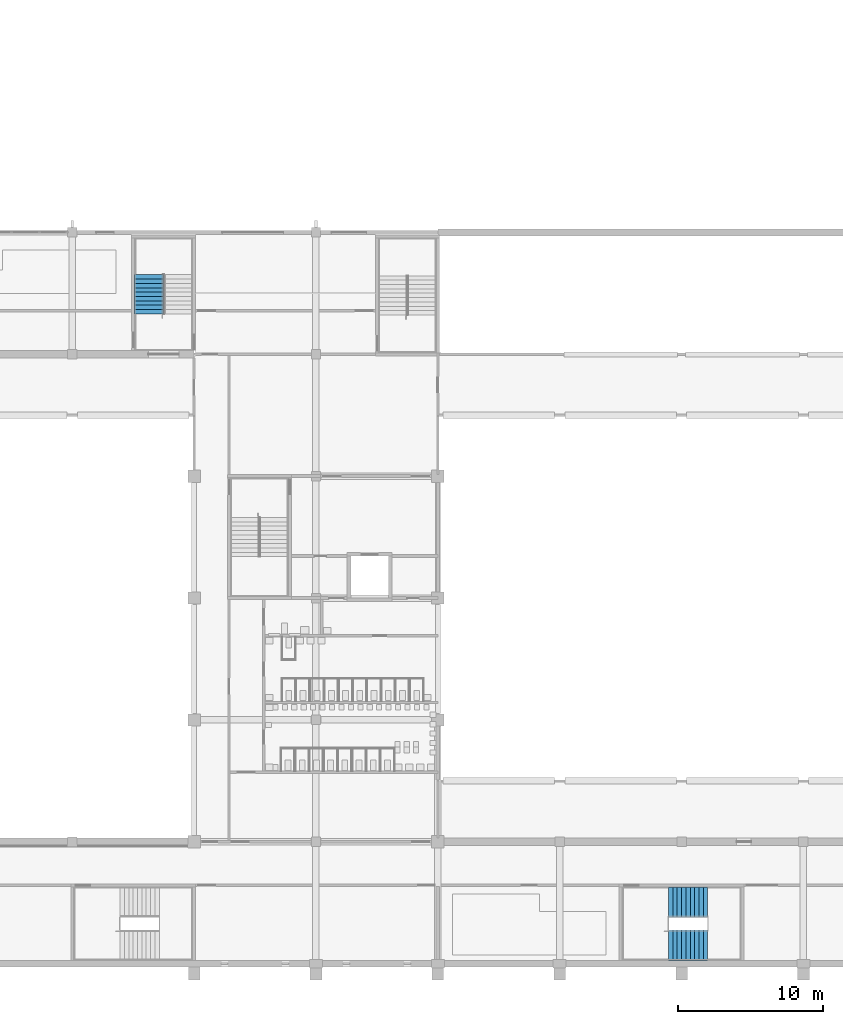
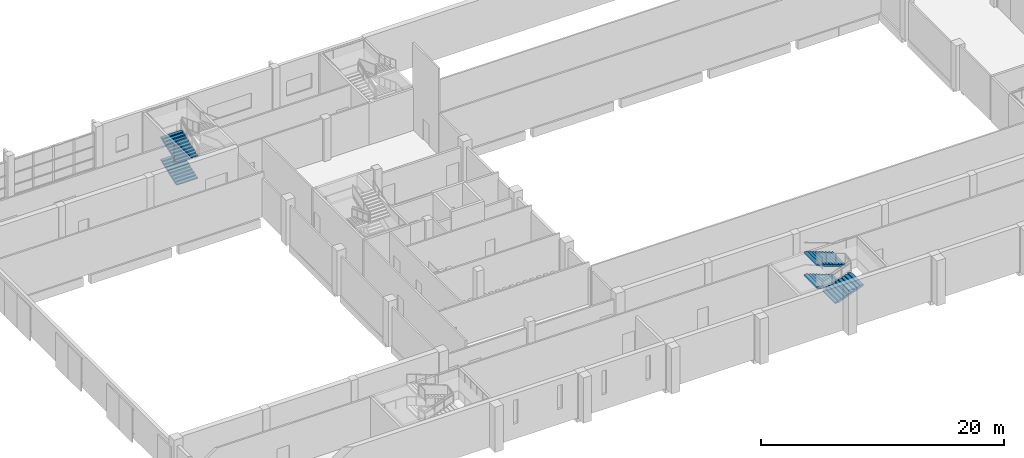
# One storey, part 42 of 64: 5 stair flights, 2 elements without a shape of their own.
"""IFC4 building model written with IfcOpenShell, lengths in metres."""

from ifc_helpers import new_model, si_unit, direction, frame, origin, place, context, subcontext, project, spatial, faceted_brep, material, type_object, element, aggregate, save


model = new_model("IFC4")

# Units and contexts
model_context = context("Model", 3, precision=1e-05, world=origin(), true_north=direction((0.0, 1.0)))
body_context = subcontext(model_context, "Body", "Model", "MODEL_VIEW")
ifc_project = project(units=[si_unit("LENGTHUNIT", "METRE"), si_unit("AREAUNIT", "SQUARE_METRE"), si_unit("VOLUMEUNIT", "CUBIC_METRE"), si_unit("PLANEANGLEUNIT", "RADIAN"), si_unit("MASSUNIT", "GRAM", prefix="KILO")], contexts=[model_context])

# Site, building, storey
site_placement = place(None, origin())
site = spatial("IfcSite", under=ifc_project, at=site_placement, CompositionType="ELEMENT")
building_placement = place(site_placement, origin())
building = spatial("IfcBuilding", under=site, at=building_placement, Name="Rulbaag Community and Learning Centre", CompositionType="ELEMENT")
storey_placement = place(building_placement, frame((0.0, 0.0, 5.39990234375)))
storey = spatial("IfcBuildingStorey", under=building, at=storey_placement, Name="L01", CompositionType="ELEMENT", Elevation=5.39990234375)

# Stair, stair flights
ifc_material = material(Name="Concrete M40", Category="concrete")
stair_type_1 = type_object("IfcStairType", Name="ST-2000 STAIR 2000 WIDE", PredefinedType="HALF_TURN_STAIR", material=ifc_material)
stair_1_placement = place(storey_placement, origin())
stair_1 = element("IfcStair", 1, at=stair_1_placement, inside=storey, type_object=stair_type_1, Name="Stair ST-H0 L01", PredefinedType="HALF_TURN_STAIR")
stair_flight_type_1 = type_object("IfcStairFlightType", Name="FL-2000 FLIGHT 2000 WIDE Concrete M40", PredefinedType="STRAIGHT", material=ifc_material)
stair_flight_1_placement = place(storey_placement, frame((22.10009765625, 44.78759765625, 0.0), z_axis=(0.0, 0.0, 1.0), x_axis=(0.0, 1.0, 0.0)))
stair_flight_1 = element("IfcStairFlight", 2, at=stair_flight_1_placement, type_object=stair_flight_type_1, Name="ST-H0 flight 1", NumberOfRisers=10, NumberOfTreads=9, PredefinedType="STRAIGHT", RiserHeight=0.1125, TreadLength=0.3, context=body_context, shape_type="Brep", body=[
    faceted_brep([(0.3984375, -1.0, 0.0), (2.699951171875, -1.0, 0.863037109375), (2.699951171875, -1.0, 1.012451171875), (2.39990234375, -1.0, 1.012451171875), (2.39990234375, -1.0, 0.89990234375), (2.10009765625, -1.0, 0.89990234375), (2.10009765625, -1.0, 0.78759765625), (1.800048828125, -1.0, 0.78759765625), (1.800048828125, -1.0, 0.675048828125), (1.5, -1.0, 0.675048828125), (1.5, -1.0, 0.5625), (1.199951171875, -1.0, 0.5625), (1.199951171875, -1.0, 0.449951171875), (0.89990234375, -1.0, 0.449951171875), (0.89990234375, -1.0, 0.33740234375), (0.60009765625, -1.0, 0.33740234375), (0.60009765625, -1.0, 0.22509765625), (0.300048828125, -1.0, 0.22509765625), (0.300048828125, -1.0, 0.112548828125), (0.0, -1.0, 0.112548828125), (0.0, -1.0, 0.0), (0.0, 1.0, 0.0), (0.0, 1.0, 0.112548828125), (0.300048828125, 1.0, 0.112548828125), (0.300048828125, 1.0, 0.22509765625), (0.60009765625, 1.0, 0.22509765625), (0.60009765625, 1.0, 0.33740234375), (0.89990234375, 1.0, 0.33740234375), (0.89990234375, 1.0, 0.449951171875), (1.199951171875, 1.0, 0.449951171875), (1.199951171875, 1.0, 0.5625), (1.5, 1.0, 0.5625), (1.5, 1.0, 0.675048828125), (1.800048828125, 1.0, 0.675048828125), (1.800048828125, 1.0, 0.78759765625), (2.10009765625, 1.0, 0.78759765625), (2.10009765625, 1.0, 0.89990234375), (2.39990234375, 1.0, 0.89990234375), (2.39990234375, 1.0, 1.012451171875), (2.699951171875, 1.0, 1.012451171875), (2.699951171875, 1.0, 0.863037109375), (0.3984375, 1.0, 0.0), (0.0, -0.333251953125, 0.112548828125), (0.0, -0.333251953125, 0.0), (0.0, 0.333251953125, 0.112548828125), (0.0, 0.333251953125, 0.0), (0.300048828125, -0.333251953125, 0.112548828125), (0.300048828125, 0.333251953125, 0.112548828125), (0.300048828125, -0.333251953125, 0.22509765625), (0.300048828125, 0.333251953125, 0.22509765625), (0.60009765625, -0.333251953125, 0.22509765625), (0.60009765625, 0.333251953125, 0.22509765625), (0.60009765625, -0.333251953125, 0.33740234375), (0.60009765625, 0.333251953125, 0.33740234375), (0.89990234375, -0.333251953125, 0.33740234375), (0.89990234375, 0.333251953125, 0.33740234375), (0.89990234375, -0.333251953125, 0.449951171875), (0.89990234375, 0.333251953125, 0.449951171875), (1.199951171875, -0.333251953125, 0.449951171875), (1.199951171875, 0.333251953125, 0.449951171875), (1.199951171875, -0.333251953125, 0.5625), (1.199951171875, 0.333251953125, 0.5625), (1.5, -0.333251953125, 0.5625), (1.5, 0.333251953125, 0.5625), (1.5, -0.333251953125, 0.675048828125), (1.5, 0.333251953125, 0.675048828125), (1.800048828125, -0.333251953125, 0.675048828125), (1.800048828125, 0.333251953125, 0.675048828125), (1.800048828125, -0.333251953125, 0.78759765625), (1.800048828125, 0.333251953125, 0.78759765625), (2.10009765625, -0.333251953125, 0.78759765625), (2.10009765625, 0.333251953125, 0.78759765625), (2.10009765625, -0.333251953125, 0.89990234375), (2.10009765625, 0.333251953125, 0.89990234375), (2.39990234375, -0.333251953125, 0.89990234375), (2.39990234375, 0.333251953125, 0.89990234375), (2.39990234375, -0.333251953125, 1.012451171875), (2.39990234375, 0.333251953125, 1.012451171875), (2.699951171875, -0.333251953125, 1.012451171875), (2.699951171875, 0.333251953125, 1.012451171875), (2.699951171875, -0.333251953125, 0.863037109375), (2.699951171875, 0.333251953125, 0.863037109375), (0.3984375, -0.333251953125, 0.0), (0.3984375, 0.333251953125, 0.0)], [[[0, 1, 2, 3, 4, 5, 6, 7, 8, 9, 10, 11, 12, 13, 14, 15, 16, 17, 18, 19, 20]], [[21, 22, 23, 24, 25, 26, 27, 28, 29, 30, 31, 32, 33, 34, 35, 36, 37, 38, 39, 40, 41]], [[20, 19, 42, 43]], [[43, 42, 44, 45]], [[45, 44, 22, 21]], [[19, 18, 46, 42]], [[42, 46, 47, 44]], [[44, 47, 23, 22]], [[18, 17, 48, 46]], [[46, 48, 49, 47]], [[47, 49, 24, 23]], [[17, 16, 50, 48]], [[48, 50, 51, 49]], [[49, 51, 25, 24]], [[16, 15, 52, 50]], [[50, 52, 53, 51]], [[51, 53, 26, 25]], [[15, 14, 54, 52]], [[52, 54, 55, 53]], [[53, 55, 27, 26]], [[14, 13, 56, 54]], [[54, 56, 57, 55]], [[55, 57, 28, 27]], [[13, 12, 58, 56]], [[56, 58, 59, 57]], [[57, 59, 29, 28]], [[12, 11, 60, 58]], [[58, 60, 61, 59]], [[59, 61, 30, 29]], [[11, 10, 62, 60]], [[60, 62, 63, 61]], [[61, 63, 31, 30]], [[10, 9, 64, 62]], [[62, 64, 65, 63]], [[63, 65, 32, 31]], [[9, 8, 66, 64]], [[64, 66, 67, 65]], [[65, 67, 33, 32]], [[8, 7, 68, 66]], [[66, 68, 69, 67]], [[67, 69, 34, 33]], [[7, 6, 70, 68]], [[68, 70, 71, 69]], [[69, 71, 35, 34]], [[6, 5, 72, 70]], [[70, 72, 73, 71]], [[71, 73, 36, 35]], [[5, 4, 74, 72]], [[72, 74, 75, 73]], [[73, 75, 37, 36]], [[4, 3, 76, 74]], [[74, 76, 77, 75]], [[75, 77, 38, 37]], [[3, 2, 78, 76]], [[76, 78, 79, 77]], [[77, 79, 39, 38]], [[2, 1, 80, 78]], [[78, 80, 81, 79]], [[79, 81, 40, 39]], [[1, 0, 82, 80]], [[80, 82, 83, 81]], [[81, 83, 41, 40]], [[0, 20, 43, 82]], [[82, 43, 45, 83]], [[83, 45, 21, 41]]]),
])
stair_flight_2_placement = place(storey_placement, frame((22.10009765625, 44.78759765625, 2.25), z_axis=(0.0, 0.0, 1.0), x_axis=(0.0, 1.0, 0.0)))
stair_flight_2 = element("IfcStairFlight", 3, at=stair_flight_2_placement, type_object=stair_flight_type_1, Name="ST-H0 flight 3", NumberOfRisers=10, NumberOfTreads=9, PredefinedType="STRAIGHT", RiserHeight=0.1125, TreadLength=0.3, context=body_context, shape_type="Brep", body=[
    faceted_brep([(0.3984375, -1.0, 0.0), (2.699951171875, -1.0, 0.863037109375), (2.699951171875, -1.0, 1.012451171875), (2.39990234375, -1.0, 1.012451171875), (2.39990234375, -1.0, 0.89990234375), (2.10009765625, -1.0, 0.89990234375), (2.10009765625, -1.0, 0.78759765625), (1.800048828125, -1.0, 0.78759765625), (1.800048828125, -1.0, 0.675048828125), (1.5, -1.0, 0.675048828125), (1.5, -1.0, 0.5625), (1.199951171875, -1.0, 0.5625), (1.199951171875, -1.0, 0.449951171875), (0.89990234375, -1.0, 0.449951171875), (0.89990234375, -1.0, 0.33740234375), (0.60009765625, -1.0, 0.33740234375), (0.60009765625, -1.0, 0.22509765625), (0.300048828125, -1.0, 0.22509765625), (0.300048828125, -1.0, 0.112548828125), (0.0, -1.0, 0.112548828125), (0.0, -1.0, 0.0), (0.0, 1.0, 0.0), (0.0, 1.0, 0.112548828125), (0.300048828125, 1.0, 0.112548828125), (0.300048828125, 1.0, 0.22509765625), (0.60009765625, 1.0, 0.22509765625), (0.60009765625, 1.0, 0.33740234375), (0.89990234375, 1.0, 0.33740234375), (0.89990234375, 1.0, 0.449951171875), (1.199951171875, 1.0, 0.449951171875), (1.199951171875, 1.0, 0.5625), (1.5, 1.0, 0.5625), (1.5, 1.0, 0.675048828125), (1.800048828125, 1.0, 0.675048828125), (1.800048828125, 1.0, 0.78759765625), (2.10009765625, 1.0, 0.78759765625), (2.10009765625, 1.0, 0.89990234375), (2.39990234375, 1.0, 0.89990234375), (2.39990234375, 1.0, 1.012451171875), (2.699951171875, 1.0, 1.012451171875), (2.699951171875, 1.0, 0.863037109375), (0.3984375, 1.0, 0.0), (0.0, -0.333251953125, 0.112548828125), (0.0, -0.333251953125, 0.0), (0.0, 0.333251953125, 0.112548828125), (0.0, 0.333251953125, 0.0), (0.300048828125, -0.333251953125, 0.112548828125), (0.300048828125, 0.333251953125, 0.112548828125), (0.300048828125, -0.333251953125, 0.22509765625), (0.300048828125, 0.333251953125, 0.22509765625), (0.60009765625, -0.333251953125, 0.22509765625), (0.60009765625, 0.333251953125, 0.22509765625), (0.60009765625, -0.333251953125, 0.33740234375), (0.60009765625, 0.333251953125, 0.33740234375), (0.89990234375, -0.333251953125, 0.33740234375), (0.89990234375, 0.333251953125, 0.33740234375), (0.89990234375, -0.333251953125, 0.449951171875), (0.89990234375, 0.333251953125, 0.449951171875), (1.199951171875, -0.333251953125, 0.449951171875), (1.199951171875, 0.333251953125, 0.449951171875), (1.199951171875, -0.333251953125, 0.5625), (1.199951171875, 0.333251953125, 0.5625), (1.5, -0.333251953125, 0.5625), (1.5, 0.333251953125, 0.5625), (1.5, -0.333251953125, 0.675048828125), (1.5, 0.333251953125, 0.675048828125), (1.800048828125, -0.333251953125, 0.675048828125), (1.800048828125, 0.333251953125, 0.675048828125), (1.800048828125, -0.333251953125, 0.78759765625), (1.800048828125, 0.333251953125, 0.78759765625), (2.10009765625, -0.333251953125, 0.78759765625), (2.10009765625, 0.333251953125, 0.78759765625), (2.10009765625, -0.333251953125, 0.89990234375), (2.10009765625, 0.333251953125, 0.89990234375), (2.39990234375, -0.333251953125, 0.89990234375), (2.39990234375, 0.333251953125, 0.89990234375), (2.39990234375, -0.333251953125, 1.012451171875), (2.39990234375, 0.333251953125, 1.012451171875), (2.699951171875, -0.333251953125, 1.012451171875), (2.699951171875, 0.333251953125, 1.012451171875), (2.699951171875, -0.333251953125, 0.863037109375), (2.699951171875, 0.333251953125, 0.863037109375), (0.3984375, -0.333251953125, 0.0), (0.3984375, 0.333251953125, 0.0)], [[[0, 1, 2, 3, 4, 5, 6, 7, 8, 9, 10, 11, 12, 13, 14, 15, 16, 17, 18, 19, 20]], [[21, 22, 23, 24, 25, 26, 27, 28, 29, 30, 31, 32, 33, 34, 35, 36, 37, 38, 39, 40, 41]], [[20, 19, 42, 43]], [[43, 42, 44, 45]], [[45, 44, 22, 21]], [[19, 18, 46, 42]], [[42, 46, 47, 44]], [[44, 47, 23, 22]], [[18, 17, 48, 46]], [[46, 48, 49, 47]], [[47, 49, 24, 23]], [[17, 16, 50, 48]], [[48, 50, 51, 49]], [[49, 51, 25, 24]], [[16, 15, 52, 50]], [[50, 52, 53, 51]], [[51, 53, 26, 25]], [[15, 14, 54, 52]], [[52, 54, 55, 53]], [[53, 55, 27, 26]], [[14, 13, 56, 54]], [[54, 56, 57, 55]], [[55, 57, 28, 27]], [[13, 12, 58, 56]], [[56, 58, 59, 57]], [[57, 59, 29, 28]], [[12, 11, 60, 58]], [[58, 60, 61, 59]], [[59, 61, 30, 29]], [[11, 10, 62, 60]], [[60, 62, 63, 61]], [[61, 63, 31, 30]], [[10, 9, 64, 62]], [[62, 64, 65, 63]], [[63, 65, 32, 31]], [[9, 8, 66, 64]], [[64, 66, 67, 65]], [[65, 67, 33, 32]], [[8, 7, 68, 66]], [[66, 68, 69, 67]], [[67, 69, 34, 33]], [[7, 6, 70, 68]], [[68, 70, 71, 69]], [[69, 71, 35, 34]], [[6, 5, 72, 70]], [[70, 72, 73, 71]], [[71, 73, 36, 35]], [[5, 4, 74, 72]], [[72, 74, 75, 73]], [[73, 75, 37, 36]], [[4, 3, 76, 74]], [[74, 76, 77, 75]], [[75, 77, 38, 37]], [[3, 2, 78, 76]], [[76, 78, 79, 77]], [[77, 79, 39, 38]], [[2, 1, 80, 78]], [[78, 80, 81, 79]], [[79, 81, 40, 39]], [[1, 0, 82, 80]], [[80, 82, 83, 81]], [[81, 83, 41, 40]], [[0, 20, 43, 82]], [[82, 43, 45, 83]], [[83, 45, 21, 41]]]),
])
aggregate(stair_1, [stair_flight_1, stair_flight_2])

stair_type_2 = type_object("IfcStairType", Name="ST-2100 STAIR 2100 WIDE", PredefinedType="HALF_TURN_STAIR", material=ifc_material)
stair_2_placement = place(storey_placement, origin())
stair_2 = element("IfcStair", 4, at=stair_2_placement, inside=storey, type_object=stair_type_2, Name="Stair ST-H8 L01", PredefinedType="HALF_TURN_STAIR")
stair_flight_type_2 = type_object("IfcStairFlightType", Name="FL-2100 FLIGHT 2100 WIDE Concrete M40", PredefinedType="STRAIGHT", material=ifc_material)
stair_flight_3_placement = place(storey_placement, frame((60.60009765625, 4.25, 1.125), z_axis=(0.0, 0.0, 1.0), x_axis=(-1.0, 0.0, 0.0)))
stair_flight_3 = element("IfcStairFlight", 5, at=stair_flight_3_placement, type_object=stair_flight_type_2, Name="ST-H8 flight 2", NumberOfRisers=10, NumberOfTreads=9, PredefinedType="STRAIGHT", RiserHeight=0.1125, TreadLength=0.3, context=body_context, shape_type="Brep", body=[
    faceted_brep([(0.3984375, -1.050048828125, 0.0), (2.699951171875, -1.050048828125, 0.863037109375), (2.699951171875, -1.050048828125, 1.012451171875), (2.39990234375, -1.050048828125, 1.012451171875), (2.39990234375, -1.050048828125, 0.89990234375), (2.10009765625, -1.050048828125, 0.89990234375), (2.10009765625, -1.050048828125, 0.78759765625), (1.800048828125, -1.050048828125, 0.78759765625), (1.800048828125, -1.050048828125, 0.675048828125), (1.5, -1.050048828125, 0.675048828125), (1.5, -1.050048828125, 0.5625), (1.199951171875, -1.050048828125, 0.5625), (1.199951171875, -1.050048828125, 0.449951171875), (0.89990234375, -1.050048828125, 0.449951171875), (0.89990234375, -1.050048828125, 0.33740234375), (0.60009765625, -1.050048828125, 0.33740234375), (0.60009765625, -1.050048828125, 0.22509765625), (0.300048828125, -1.050048828125, 0.22509765625), (0.300048828125, -1.050048828125, 0.112548828125), (0.0, -1.050048828125, 0.112548828125), (0.0, -1.050048828125, 0.0), (0.0, 1.050048828125, 0.0), (0.0, 1.050048828125, 0.112548828125), (0.300048828125, 1.050048828125, 0.112548828125), (0.300048828125, 1.050048828125, 0.22509765625), (0.60009765625, 1.050048828125, 0.22509765625), (0.60009765625, 1.050048828125, 0.33740234375), (0.89990234375, 1.050048828125, 0.33740234375), (0.89990234375, 1.050048828125, 0.449951171875), (1.199951171875, 1.050048828125, 0.449951171875), (1.199951171875, 1.050048828125, 0.5625), (1.5, 1.050048828125, 0.5625), (1.5, 1.050048828125, 0.675048828125), (1.800048828125, 1.050048828125, 0.675048828125), (1.800048828125, 1.050048828125, 0.78759765625), (2.10009765625, 1.050048828125, 0.78759765625), (2.10009765625, 1.050048828125, 0.89990234375), (2.39990234375, 1.050048828125, 0.89990234375), (2.39990234375, 1.050048828125, 1.012451171875), (2.699951171875, 1.050048828125, 1.012451171875), (2.699951171875, 1.050048828125, 0.863037109375), (0.3984375, 1.050048828125, 0.0), (0.0, -0.52490234375, 0.112548828125), (0.0, -0.52490234375, 0.0), (0.0, 0.0, 0.112548828125), (0.0, 0.0, 0.0), (0.0, 0.52490234375, 0.112548828125), (0.0, 0.52490234375, 0.0), (0.300048828125, -0.52490234375, 0.112548828125), (0.300048828125, 0.0, 0.112548828125), (0.300048828125, 0.52490234375, 0.112548828125), (0.300048828125, -0.52490234375, 0.22509765625), (0.300048828125, 0.0, 0.22509765625), (0.300048828125, 0.52490234375, 0.22509765625), (0.60009765625, -0.52490234375, 0.22509765625), (0.60009765625, 0.0, 0.22509765625), (0.60009765625, 0.52490234375, 0.22509765625), (0.60009765625, -0.52490234375, 0.33740234375), (0.60009765625, 0.0, 0.33740234375), (0.60009765625, 0.52490234375, 0.33740234375), (0.89990234375, -0.52490234375, 0.33740234375), (0.89990234375, 0.0, 0.33740234375), (0.89990234375, 0.52490234375, 0.33740234375), (0.89990234375, -0.52490234375, 0.449951171875), (0.89990234375, 0.0, 0.449951171875), (0.89990234375, 0.52490234375, 0.449951171875), (1.199951171875, -0.52490234375, 0.449951171875), (1.199951171875, 0.0, 0.449951171875), (1.199951171875, 0.52490234375, 0.449951171875), (1.199951171875, -0.52490234375, 0.5625), (1.199951171875, 0.0, 0.5625), (1.199951171875, 0.52490234375, 0.5625), (1.5, -0.52490234375, 0.5625), (1.5, 0.0, 0.5625), (1.5, 0.52490234375, 0.5625), (1.5, -0.52490234375, 0.675048828125), (1.5, 0.0, 0.675048828125), (1.5, 0.52490234375, 0.675048828125), (1.800048828125, -0.52490234375, 0.675048828125), (1.800048828125, 0.0, 0.675048828125), (1.800048828125, 0.52490234375, 0.675048828125), (1.800048828125, -0.52490234375, 0.78759765625), (1.800048828125, 0.0, 0.78759765625), (1.800048828125, 0.52490234375, 0.78759765625), (2.10009765625, -0.52490234375, 0.78759765625), (2.10009765625, 0.0, 0.78759765625), (2.10009765625, 0.52490234375, 0.78759765625), (2.10009765625, -0.52490234375, 0.89990234375), (2.10009765625, 0.0, 0.89990234375), (2.10009765625, 0.52490234375, 0.89990234375), (2.39990234375, -0.52490234375, 0.89990234375), (2.39990234375, 0.0, 0.89990234375), (2.39990234375, 0.52490234375, 0.89990234375), (2.39990234375, -0.52490234375, 1.012451171875), (2.39990234375, 0.0, 1.012451171875), (2.39990234375, 0.52490234375, 1.012451171875), (2.699951171875, -0.52490234375, 1.012451171875), (2.699951171875, 0.0, 1.012451171875), (2.699951171875, 0.52490234375, 1.012451171875), (2.699951171875, -0.52490234375, 0.863037109375), (2.699951171875, 0.0, 0.863037109375), (2.699951171875, 0.52490234375, 0.863037109375), (0.3984375, -0.52490234375, 0.0), (0.3984375, 0.0, 0.0), (0.3984375, 0.52490234375, 0.0)], [[[0, 1, 2, 3, 4, 5, 6, 7, 8, 9, 10, 11, 12, 13, 14, 15, 16, 17, 18, 19, 20]], [[21, 22, 23, 24, 25, 26, 27, 28, 29, 30, 31, 32, 33, 34, 35, 36, 37, 38, 39, 40, 41]], [[20, 19, 42, 43]], [[43, 42, 44, 45]], [[45, 44, 46, 47]], [[47, 46, 22, 21]], [[19, 18, 48, 42]], [[42, 48, 49, 44]], [[44, 49, 50, 46]], [[46, 50, 23, 22]], [[18, 17, 51, 48]], [[48, 51, 52, 49]], [[49, 52, 53, 50]], [[50, 53, 24, 23]], [[17, 16, 54, 51]], [[51, 54, 55, 52]], [[52, 55, 56, 53]], [[53, 56, 25, 24]], [[16, 15, 57, 54]], [[54, 57, 58, 55]], [[55, 58, 59, 56]], [[56, 59, 26, 25]], [[15, 14, 60, 57]], [[57, 60, 61, 58]], [[58, 61, 62, 59]], [[59, 62, 27, 26]], [[14, 13, 63, 60]], [[60, 63, 64, 61]], [[61, 64, 65, 62]], [[62, 65, 28, 27]], [[13, 12, 66, 63]], [[63, 66, 67, 64]], [[64, 67, 68, 65]], [[65, 68, 29, 28]], [[12, 11, 69, 66]], [[66, 69, 70, 67]], [[67, 70, 71, 68]], [[68, 71, 30, 29]], [[11, 10, 72, 69]], [[69, 72, 73, 70]], [[70, 73, 74, 71]], [[71, 74, 31, 30]], [[10, 9, 75, 72]], [[72, 75, 76, 73]], [[73, 76, 77, 74]], [[74, 77, 32, 31]], [[9, 8, 78, 75]], [[75, 78, 79, 76]], [[76, 79, 80, 77]], [[77, 80, 33, 32]], [[8, 7, 81, 78]], [[78, 81, 82, 79]], [[79, 82, 83, 80]], [[80, 83, 34, 33]], [[7, 6, 84, 81]], [[81, 84, 85, 82]], [[82, 85, 86, 83]], [[83, 86, 35, 34]], [[6, 5, 87, 84]], [[84, 87, 88, 85]], [[85, 88, 89, 86]], [[86, 89, 36, 35]], [[5, 4, 90, 87]], [[87, 90, 91, 88]], [[88, 91, 92, 89]], [[89, 92, 37, 36]], [[4, 3, 93, 90]], [[90, 93, 94, 91]], [[91, 94, 95, 92]], [[92, 95, 38, 37]], [[3, 2, 96, 93]], [[93, 96, 97, 94]], [[94, 97, 98, 95]], [[95, 98, 39, 38]], [[2, 1, 99, 96]], [[96, 99, 100, 97]], [[97, 100, 101, 98]], [[98, 101, 40, 39]], [[1, 0, 102, 99]], [[99, 102, 103, 100]], [[100, 103, 104, 101]], [[101, 104, 41, 40]], [[0, 20, 43, 102]], [[102, 43, 45, 103]], [[103, 45, 47, 104]], [[104, 47, 21, 41]]]),
])
stair_flight_4_placement = place(storey_placement, frame((57.89990234375, 1.27490234375, 2.25), z_axis=(0.0, 0.0, 1.0), x_axis=(1.0, 0.0, 0.0)))
stair_flight_4 = element("IfcStairFlight", 6, at=stair_flight_4_placement, type_object=stair_flight_type_2, Name="ST-H8 flight 3", NumberOfRisers=10, NumberOfTreads=9, PredefinedType="STRAIGHT", RiserHeight=0.1125, TreadLength=0.3, context=body_context, shape_type="Brep", body=[
    faceted_brep([(0.3984375, -1.050048828125, 0.0), (2.699951171875, -1.050048828125, 0.863037109375), (2.699951171875, -1.050048828125, 1.012451171875), (2.39990234375, -1.050048828125, 1.012451171875), (2.39990234375, -1.050048828125, 0.89990234375), (2.10009765625, -1.050048828125, 0.89990234375), (2.10009765625, -1.050048828125, 0.78759765625), (1.800048828125, -1.050048828125, 0.78759765625), (1.800048828125, -1.050048828125, 0.675048828125), (1.5, -1.050048828125, 0.675048828125), (1.5, -1.050048828125, 0.5625), (1.199951171875, -1.050048828125, 0.5625), (1.199951171875, -1.050048828125, 0.449951171875), (0.89990234375, -1.050048828125, 0.449951171875), (0.89990234375, -1.050048828125, 0.33740234375), (0.60009765625, -1.050048828125, 0.33740234375), (0.60009765625, -1.050048828125, 0.22509765625), (0.300048828125, -1.050048828125, 0.22509765625), (0.300048828125, -1.050048828125, 0.112548828125), (0.0, -1.050048828125, 0.112548828125), (0.0, -1.050048828125, 0.0), (0.0, 1.050048828125, 0.0), (0.0, 1.050048828125, 0.112548828125), (0.300048828125, 1.050048828125, 0.112548828125), (0.300048828125, 1.050048828125, 0.22509765625), (0.60009765625, 1.050048828125, 0.22509765625), (0.60009765625, 1.050048828125, 0.33740234375), (0.89990234375, 1.050048828125, 0.33740234375), (0.89990234375, 1.050048828125, 0.449951171875), (1.199951171875, 1.050048828125, 0.449951171875), (1.199951171875, 1.050048828125, 0.5625), (1.5, 1.050048828125, 0.5625), (1.5, 1.050048828125, 0.675048828125), (1.800048828125, 1.050048828125, 0.675048828125), (1.800048828125, 1.050048828125, 0.78759765625), (2.10009765625, 1.050048828125, 0.78759765625), (2.10009765625, 1.050048828125, 0.89990234375), (2.39990234375, 1.050048828125, 0.89990234375), (2.39990234375, 1.050048828125, 1.012451171875), (2.699951171875, 1.050048828125, 1.012451171875), (2.699951171875, 1.050048828125, 0.863037109375), (0.3984375, 1.050048828125, 0.0), (0.0, -0.52490234375, 0.112548828125), (0.0, -0.52490234375, 0.0), (0.0, 0.0, 0.112548828125), (0.0, 0.0, 0.0), (0.0, 0.52490234375, 0.112548828125), (0.0, 0.52490234375, 0.0), (0.300048828125, -0.52490234375, 0.112548828125), (0.300048828125, 0.0, 0.112548828125), (0.300048828125, 0.52490234375, 0.112548828125), (0.300048828125, -0.52490234375, 0.22509765625), (0.300048828125, 0.0, 0.22509765625), (0.300048828125, 0.52490234375, 0.22509765625), (0.60009765625, -0.52490234375, 0.22509765625), (0.60009765625, 0.0, 0.22509765625), (0.60009765625, 0.52490234375, 0.22509765625), (0.60009765625, -0.52490234375, 0.33740234375), (0.60009765625, 0.0, 0.33740234375), (0.60009765625, 0.52490234375, 0.33740234375), (0.89990234375, -0.52490234375, 0.33740234375), (0.89990234375, 0.0, 0.33740234375), (0.89990234375, 0.52490234375, 0.33740234375), (0.89990234375, -0.52490234375, 0.449951171875), (0.89990234375, 0.0, 0.449951171875), (0.89990234375, 0.52490234375, 0.449951171875), (1.199951171875, -0.52490234375, 0.449951171875), (1.199951171875, 0.0, 0.449951171875), (1.199951171875, 0.52490234375, 0.449951171875), (1.199951171875, -0.52490234375, 0.5625), (1.199951171875, 0.0, 0.5625), (1.199951171875, 0.52490234375, 0.5625), (1.5, -0.52490234375, 0.5625), (1.5, 0.0, 0.5625), (1.5, 0.52490234375, 0.5625), (1.5, -0.52490234375, 0.675048828125), (1.5, 0.0, 0.675048828125), (1.5, 0.52490234375, 0.675048828125), (1.800048828125, -0.52490234375, 0.675048828125), (1.800048828125, 0.0, 0.675048828125), (1.800048828125, 0.52490234375, 0.675048828125), (1.800048828125, -0.52490234375, 0.78759765625), (1.800048828125, 0.0, 0.78759765625), (1.800048828125, 0.52490234375, 0.78759765625), (2.10009765625, -0.52490234375, 0.78759765625), (2.10009765625, 0.0, 0.78759765625), (2.10009765625, 0.52490234375, 0.78759765625), (2.10009765625, -0.52490234375, 0.89990234375), (2.10009765625, 0.0, 0.89990234375), (2.10009765625, 0.52490234375, 0.89990234375), (2.39990234375, -0.52490234375, 0.89990234375), (2.39990234375, 0.0, 0.89990234375), (2.39990234375, 0.52490234375, 0.89990234375), (2.39990234375, -0.52490234375, 1.012451171875), (2.39990234375, 0.0, 1.012451171875), (2.39990234375, 0.52490234375, 1.012451171875), (2.699951171875, -0.52490234375, 1.012451171875), (2.699951171875, 0.0, 1.012451171875), (2.699951171875, 0.52490234375, 1.012451171875), (2.699951171875, -0.52490234375, 0.863037109375), (2.699951171875, 0.0, 0.863037109375), (2.699951171875, 0.52490234375, 0.863037109375), (0.3984375, -0.52490234375, 0.0), (0.3984375, 0.0, 0.0), (0.3984375, 0.52490234375, 0.0)], [[[0, 1, 2, 3, 4, 5, 6, 7, 8, 9, 10, 11, 12, 13, 14, 15, 16, 17, 18, 19, 20]], [[21, 22, 23, 24, 25, 26, 27, 28, 29, 30, 31, 32, 33, 34, 35, 36, 37, 38, 39, 40, 41]], [[20, 19, 42, 43]], [[43, 42, 44, 45]], [[45, 44, 46, 47]], [[47, 46, 22, 21]], [[19, 18, 48, 42]], [[42, 48, 49, 44]], [[44, 49, 50, 46]], [[46, 50, 23, 22]], [[18, 17, 51, 48]], [[48, 51, 52, 49]], [[49, 52, 53, 50]], [[50, 53, 24, 23]], [[17, 16, 54, 51]], [[51, 54, 55, 52]], [[52, 55, 56, 53]], [[53, 56, 25, 24]], [[16, 15, 57, 54]], [[54, 57, 58, 55]], [[55, 58, 59, 56]], [[56, 59, 26, 25]], [[15, 14, 60, 57]], [[57, 60, 61, 58]], [[58, 61, 62, 59]], [[59, 62, 27, 26]], [[14, 13, 63, 60]], [[60, 63, 64, 61]], [[61, 64, 65, 62]], [[62, 65, 28, 27]], [[13, 12, 66, 63]], [[63, 66, 67, 64]], [[64, 67, 68, 65]], [[65, 68, 29, 28]], [[12, 11, 69, 66]], [[66, 69, 70, 67]], [[67, 70, 71, 68]], [[68, 71, 30, 29]], [[11, 10, 72, 69]], [[69, 72, 73, 70]], [[70, 73, 74, 71]], [[71, 74, 31, 30]], [[10, 9, 75, 72]], [[72, 75, 76, 73]], [[73, 76, 77, 74]], [[74, 77, 32, 31]], [[9, 8, 78, 75]], [[75, 78, 79, 76]], [[76, 79, 80, 77]], [[77, 80, 33, 32]], [[8, 7, 81, 78]], [[78, 81, 82, 79]], [[79, 82, 83, 80]], [[80, 83, 34, 33]], [[7, 6, 84, 81]], [[81, 84, 85, 82]], [[82, 85, 86, 83]], [[83, 86, 35, 34]], [[6, 5, 87, 84]], [[84, 87, 88, 85]], [[85, 88, 89, 86]], [[86, 89, 36, 35]], [[5, 4, 90, 87]], [[87, 90, 91, 88]], [[88, 91, 92, 89]], [[89, 92, 37, 36]], [[4, 3, 93, 90]], [[90, 93, 94, 91]], [[91, 94, 95, 92]], [[92, 95, 38, 37]], [[3, 2, 96, 93]], [[93, 96, 97, 94]], [[94, 97, 98, 95]], [[95, 98, 39, 38]], [[2, 1, 99, 96]], [[96, 99, 100, 97]], [[97, 100, 101, 98]], [[98, 101, 40, 39]], [[1, 0, 102, 99]], [[99, 102, 103, 100]], [[100, 103, 104, 101]], [[101, 104, 41, 40]], [[0, 20, 43, 102]], [[102, 43, 45, 103]], [[103, 45, 47, 104]], [[104, 47, 21, 41]]]),
])
stair_flight_5_placement = place(storey_placement, frame((60.60009765625, 4.25, 3.375), z_axis=(0.0, 0.0, 1.0), x_axis=(-1.0, 0.0, 0.0)))
stair_flight_5 = element("IfcStairFlight", 7, at=stair_flight_5_placement, type_object=stair_flight_type_2, Name="ST-H8 flight 4", NumberOfRisers=10, NumberOfTreads=9, PredefinedType="STRAIGHT", RiserHeight=0.1125, TreadLength=0.3, context=body_context, shape_type="Brep", body=[
    faceted_brep([(0.3984375, -1.050048828125, 0.0), (2.699951171875, -1.050048828125, 0.863037109375), (2.699951171875, -1.050048828125, 1.012451171875), (2.39990234375, -1.050048828125, 1.012451171875), (2.39990234375, -1.050048828125, 0.89990234375), (2.10009765625, -1.050048828125, 0.89990234375), (2.10009765625, -1.050048828125, 0.78759765625), (1.800048828125, -1.050048828125, 0.78759765625), (1.800048828125, -1.050048828125, 0.675048828125), (1.5, -1.050048828125, 0.675048828125), (1.5, -1.050048828125, 0.5625), (1.199951171875, -1.050048828125, 0.5625), (1.199951171875, -1.050048828125, 0.449951171875), (0.89990234375, -1.050048828125, 0.449951171875), (0.89990234375, -1.050048828125, 0.33740234375), (0.60009765625, -1.050048828125, 0.33740234375), (0.60009765625, -1.050048828125, 0.22509765625), (0.300048828125, -1.050048828125, 0.22509765625), (0.300048828125, -1.050048828125, 0.112548828125), (0.0, -1.050048828125, 0.112548828125), (0.0, -1.050048828125, 0.0), (0.0, 1.050048828125, 0.0), (0.0, 1.050048828125, 0.112548828125), (0.300048828125, 1.050048828125, 0.112548828125), (0.300048828125, 1.050048828125, 0.22509765625), (0.60009765625, 1.050048828125, 0.22509765625), (0.60009765625, 1.050048828125, 0.33740234375), (0.89990234375, 1.050048828125, 0.33740234375), (0.89990234375, 1.050048828125, 0.449951171875), (1.199951171875, 1.050048828125, 0.449951171875), (1.199951171875, 1.050048828125, 0.5625), (1.5, 1.050048828125, 0.5625), (1.5, 1.050048828125, 0.675048828125), (1.800048828125, 1.050048828125, 0.675048828125), (1.800048828125, 1.050048828125, 0.78759765625), (2.10009765625, 1.050048828125, 0.78759765625), (2.10009765625, 1.050048828125, 0.89990234375), (2.39990234375, 1.050048828125, 0.89990234375), (2.39990234375, 1.050048828125, 1.012451171875), (2.699951171875, 1.050048828125, 1.012451171875), (2.699951171875, 1.050048828125, 0.863037109375), (0.3984375, 1.050048828125, 0.0), (0.0, -0.52490234375, 0.112548828125), (0.0, -0.52490234375, 0.0), (0.0, 0.0, 0.112548828125), (0.0, 0.0, 0.0), (0.0, 0.52490234375, 0.112548828125), (0.0, 0.52490234375, 0.0), (0.300048828125, -0.52490234375, 0.112548828125), (0.300048828125, 0.0, 0.112548828125), (0.300048828125, 0.52490234375, 0.112548828125), (0.300048828125, -0.52490234375, 0.22509765625), (0.300048828125, 0.0, 0.22509765625), (0.300048828125, 0.52490234375, 0.22509765625), (0.60009765625, -0.52490234375, 0.22509765625), (0.60009765625, 0.0, 0.22509765625), (0.60009765625, 0.52490234375, 0.22509765625), (0.60009765625, -0.52490234375, 0.33740234375), (0.60009765625, 0.0, 0.33740234375), (0.60009765625, 0.52490234375, 0.33740234375), (0.89990234375, -0.52490234375, 0.33740234375), (0.89990234375, 0.0, 0.33740234375), (0.89990234375, 0.52490234375, 0.33740234375), (0.89990234375, -0.52490234375, 0.449951171875), (0.89990234375, 0.0, 0.449951171875), (0.89990234375, 0.52490234375, 0.449951171875), (1.199951171875, -0.52490234375, 0.449951171875), (1.199951171875, 0.0, 0.449951171875), (1.199951171875, 0.52490234375, 0.449951171875), (1.199951171875, -0.52490234375, 0.5625), (1.199951171875, 0.0, 0.5625), (1.199951171875, 0.52490234375, 0.5625), (1.5, -0.52490234375, 0.5625), (1.5, 0.0, 0.5625), (1.5, 0.52490234375, 0.5625), (1.5, -0.52490234375, 0.675048828125), (1.5, 0.0, 0.675048828125), (1.5, 0.52490234375, 0.675048828125), (1.800048828125, -0.52490234375, 0.675048828125), (1.800048828125, 0.0, 0.675048828125), (1.800048828125, 0.52490234375, 0.675048828125), (1.800048828125, -0.52490234375, 0.78759765625), (1.800048828125, 0.0, 0.78759765625), (1.800048828125, 0.52490234375, 0.78759765625), (2.10009765625, -0.52490234375, 0.78759765625), (2.10009765625, 0.0, 0.78759765625), (2.10009765625, 0.52490234375, 0.78759765625), (2.10009765625, -0.52490234375, 0.89990234375), (2.10009765625, 0.0, 0.89990234375), (2.10009765625, 0.52490234375, 0.89990234375), (2.39990234375, -0.52490234375, 0.89990234375), (2.39990234375, 0.0, 0.89990234375), (2.39990234375, 0.52490234375, 0.89990234375), (2.39990234375, -0.52490234375, 1.012451171875), (2.39990234375, 0.0, 1.012451171875), (2.39990234375, 0.52490234375, 1.012451171875), (2.699951171875, -0.52490234375, 1.012451171875), (2.699951171875, 0.0, 1.012451171875), (2.699951171875, 0.52490234375, 1.012451171875), (2.699951171875, -0.52490234375, 0.863037109375), (2.699951171875, 0.0, 0.863037109375), (2.699951171875, 0.52490234375, 0.863037109375), (0.3984375, -0.52490234375, 0.0), (0.3984375, 0.0, 0.0), (0.3984375, 0.52490234375, 0.0)], [[[0, 1, 2, 3, 4, 5, 6, 7, 8, 9, 10, 11, 12, 13, 14, 15, 16, 17, 18, 19, 20]], [[21, 22, 23, 24, 25, 26, 27, 28, 29, 30, 31, 32, 33, 34, 35, 36, 37, 38, 39, 40, 41]], [[20, 19, 42, 43]], [[43, 42, 44, 45]], [[45, 44, 46, 47]], [[47, 46, 22, 21]], [[19, 18, 48, 42]], [[42, 48, 49, 44]], [[44, 49, 50, 46]], [[46, 50, 23, 22]], [[18, 17, 51, 48]], [[48, 51, 52, 49]], [[49, 52, 53, 50]], [[50, 53, 24, 23]], [[17, 16, 54, 51]], [[51, 54, 55, 52]], [[52, 55, 56, 53]], [[53, 56, 25, 24]], [[16, 15, 57, 54]], [[54, 57, 58, 55]], [[55, 58, 59, 56]], [[56, 59, 26, 25]], [[15, 14, 60, 57]], [[57, 60, 61, 58]], [[58, 61, 62, 59]], [[59, 62, 27, 26]], [[14, 13, 63, 60]], [[60, 63, 64, 61]], [[61, 64, 65, 62]], [[62, 65, 28, 27]], [[13, 12, 66, 63]], [[63, 66, 67, 64]], [[64, 67, 68, 65]], [[65, 68, 29, 28]], [[12, 11, 69, 66]], [[66, 69, 70, 67]], [[67, 70, 71, 68]], [[68, 71, 30, 29]], [[11, 10, 72, 69]], [[69, 72, 73, 70]], [[70, 73, 74, 71]], [[71, 74, 31, 30]], [[10, 9, 75, 72]], [[72, 75, 76, 73]], [[73, 76, 77, 74]], [[74, 77, 32, 31]], [[9, 8, 78, 75]], [[75, 78, 79, 76]], [[76, 79, 80, 77]], [[77, 80, 33, 32]], [[8, 7, 81, 78]], [[78, 81, 82, 79]], [[79, 82, 83, 80]], [[80, 83, 34, 33]], [[7, 6, 84, 81]], [[81, 84, 85, 82]], [[82, 85, 86, 83]], [[83, 86, 35, 34]], [[6, 5, 87, 84]], [[84, 87, 88, 85]], [[85, 88, 89, 86]], [[86, 89, 36, 35]], [[5, 4, 90, 87]], [[87, 90, 91, 88]], [[88, 91, 92, 89]], [[89, 92, 37, 36]], [[4, 3, 93, 90]], [[90, 93, 94, 91]], [[91, 94, 95, 92]], [[92, 95, 38, 37]], [[3, 2, 96, 93]], [[93, 96, 97, 94]], [[94, 97, 98, 95]], [[95, 98, 39, 38]], [[2, 1, 99, 96]], [[96, 99, 100, 97]], [[97, 100, 101, 98]], [[98, 101, 40, 39]], [[1, 0, 102, 99]], [[99, 102, 103, 100]], [[100, 103, 104, 101]], [[101, 104, 41, 40]], [[0, 20, 43, 102]], [[102, 43, 45, 103]], [[103, 45, 47, 104]], [[104, 47, 21, 41]]]),
])
aggregate(stair_2, [stair_flight_3, stair_flight_4, stair_flight_5])

save(model, "model.ifc")
